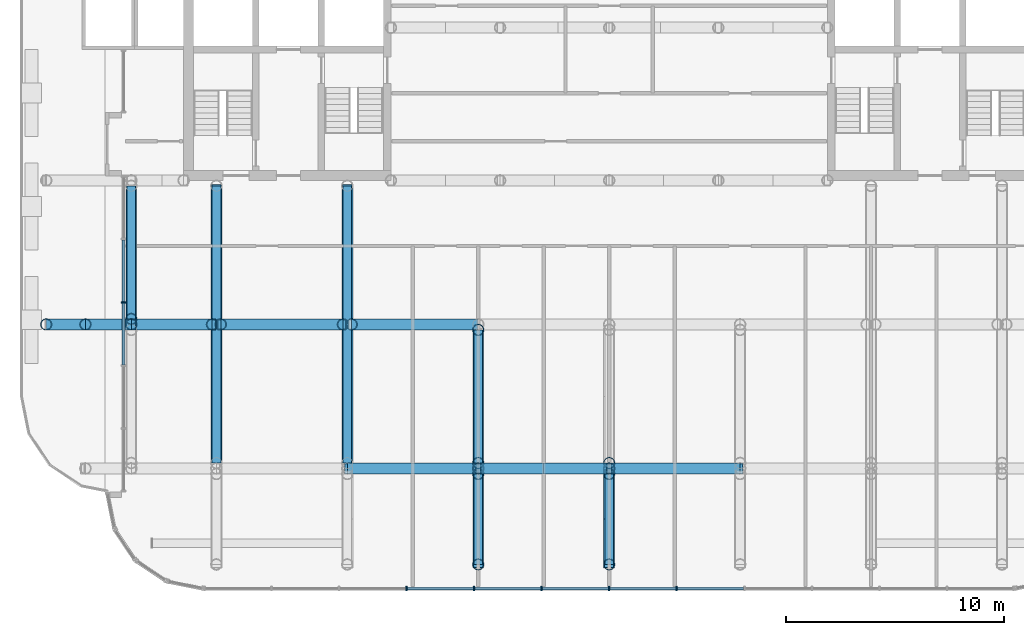
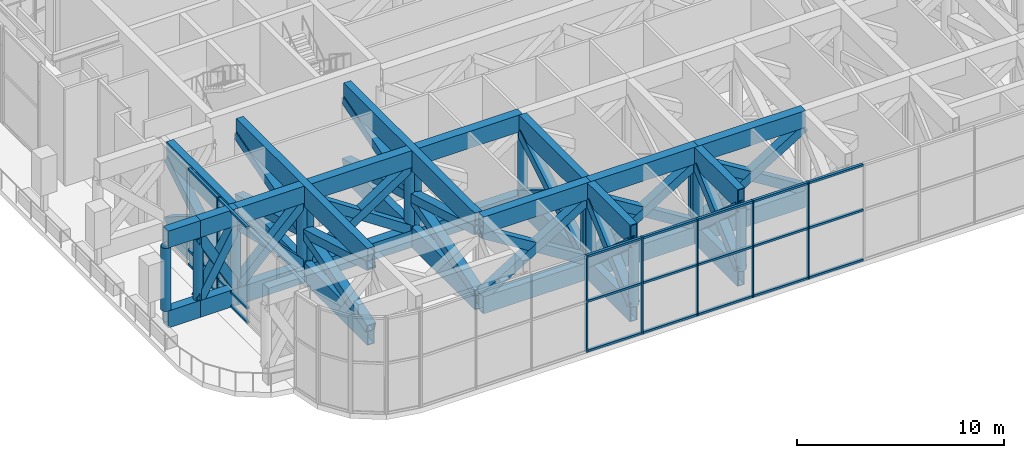
# One storey, part 2 of 21: 68 members, 28 beams, 2 elements without a shape of their own.
"""IFC4 building model written with IfcOpenShell, lengths in metres."""

from ifc_helpers import new_model, si_unit, direction, frame, origin, origin_2d, place, context, subcontext, project, spatial, rectangle, hollow_rectangle, hollow_circle, extrude, material, layer, layer_set, material_profile, profile_set, type_object, element, aggregate, save


model = new_model("IFC4")

# Units and contexts
model_context = context("Model", 3, precision=1e-05, world=origin(), true_north=direction((0.0, 1.0)))
body_context = subcontext(model_context, "Body", "Model", "MODEL_VIEW")
ifc_project = project(units=[si_unit("LENGTHUNIT", "METRE"), si_unit("AREAUNIT", "SQUARE_METRE"), si_unit("VOLUMEUNIT", "CUBIC_METRE"), si_unit("PLANEANGLEUNIT", "RADIAN"), si_unit("MASSUNIT", "GRAM", prefix="KILO")], contexts=[model_context])

# Site, building, storey
site_placement = place(None, origin())
site = spatial("IfcSite", under=ifc_project, at=site_placement, CompositionType="ELEMENT")
building_placement = place(site_placement, origin())
building = spatial("IfcBuilding", under=site, at=building_placement, Name="Torana Hotel and Residences", CompositionType="ELEMENT")
storey_placement = place(building_placement, frame((0.0, 0.0, 246.60009765625)))
storey = spatial("IfcBuildingStorey", under=building, at=storey_placement, Name="L65", CompositionType="ELEMENT", Elevation=246.60009765625)

# Curtain wall, member
ifc_material_1 = material(Name="Dark anodised aluminium", Category="aluminium")
ifc_layer = layer(ifc_material_1, 0.199951171875)
ifc_layer_set = layer_set([ifc_layer], Name="CW2 SKY LOBBY UNITISED CURTAIN WALL")
curtain_wall_type = type_object("IfcCurtainWallType", Name="CW2 SKY LOBBY UNITISED CURTAIN WALL", PredefinedType="NOTDEFINED", material=ifc_layer_set)
curtain_wall_1_placement = place(storey_placement, origin())
curtain_wall_1 = element("IfcCurtainWall", 1, at=curtain_wall_1_placement, inside=storey, type_object=curtain_wall_type, Name="Curtain wall CW2 L65 e0.4-2", PredefinedType="NOTDEFINED")
ifc_material_2 = material(Name="Dark anodised aluminium", Category="aluminium")
ifc_material_profile_1 = material_profile(ifc_material_2, rectangle(XDim=0.199951171875, YDim=0.070068359375, at=origin_2d()), Name="CW2 MULLION 70x200")
ifc_profile_set_1 = profile_set([ifc_material_profile_1], Name="Dark anodised aluminium")
member_type_1 = type_object("IfcMemberType", Name="CW2 MULLION 70x200", PredefinedType="MULLION", material=ifc_profile_set_1)
member_1_placement = place(storey_placement, frame((-22.2548828125, -20.5859375, 0.0), z_axis=(0.0, 0.0, 1.0), x_axis=(1.0, 0.0, 0.0)))
member_1 = element("IfcMember", 2, at=member_1_placement, type_object=member_type_1, Name="CW2 mullion 3", PredefinedType="MULLION", context=body_context, shape_type="SweptSolid", body=[
    extrude(rectangle(XDim=0.199951171875, YDim=0.070068359375, at=origin_2d()), origin(), (0.0, 0.0, 1.0), 5.719970703125),
])

# Curtain wall, members
curtain_wall_2_placement = place(storey_placement, origin())
curtain_wall_2 = element("IfcCurtainWall", 3, at=curtain_wall_2_placement, inside=storey, type_object=curtain_wall_type, Name="Curtain wall CW2 L65 e0.9-1", PredefinedType="NOTDEFINED")
member_2_placement = place(storey_placement, frame((-9.28759765625, -33.699951171875, 0.0), z_axis=(0.0, 0.0, 1.0), x_axis=(0.0, 1.0, 0.0)))
member_2 = element("IfcMember", 4, at=member_2_placement, type_object=member_type_1, Name="CW2 mullion 4", PredefinedType="MULLION", context=body_context, shape_type="SweptSolid", body=[
    extrude(rectangle(XDim=0.199951171875, YDim=0.070068359375, at=origin_2d()), origin(), (0.0, 0.0, 1.0), 5.719970703125),
])
member_3_placement = place(storey_placement, frame((-6.19189453125, -33.699951171875, 0.0), z_axis=(0.0, 0.0, 1.0), x_axis=(0.0, 1.0, 0.0)))
member_3 = element("IfcMember", 5, at=member_3_placement, type_object=member_type_1, Name="CW2 mullion 5", PredefinedType="MULLION", context=body_context, shape_type="SweptSolid", body=[
    extrude(rectangle(XDim=0.199951171875, YDim=0.070068359375, at=origin_2d()), origin(), (0.0, 0.0, 1.0), 5.719970703125),
])
member_4_placement = place(storey_placement, frame((-3.095947265625, -33.699951171875, 0.0), z_axis=(0.0, 0.0, 1.0), x_axis=(0.0, 1.0, 0.0)))
member_4 = element("IfcMember", 6, at=member_4_placement, type_object=member_type_1, Name="CW2 mullion 6", PredefinedType="MULLION", context=body_context, shape_type="SweptSolid", body=[
    extrude(rectangle(XDim=0.199951171875, YDim=0.070068359375, at=origin_2d()), origin(), (0.0, 0.0, 1.0), 5.719970703125),
])
member_5_placement = place(storey_placement, frame((0.0, -33.699951171875, 0.0), z_axis=(0.0, 0.0, 1.0), x_axis=(0.0, 1.0, 0.0)))
member_5 = element("IfcMember", 7, at=member_5_placement, type_object=member_type_1, Name="CW2 mullion 7", PredefinedType="MULLION", context=body_context, shape_type="SweptSolid", body=[
    extrude(rectangle(XDim=0.199951171875, YDim=0.070068359375, at=origin_2d()), origin(), (0.0, 0.0, 1.0), 5.719970703125),
])
member_6_placement = place(storey_placement, frame((3.095947265625, -33.699951171875, 0.0), z_axis=(0.0, 0.0, 1.0), x_axis=(0.0, 1.0, 0.0)))
member_6 = element("IfcMember", 8, at=member_6_placement, type_object=member_type_1, Name="CW2 mullion 8", PredefinedType="MULLION", context=body_context, shape_type="SweptSolid", body=[
    extrude(rectangle(XDim=0.199951171875, YDim=0.070068359375, at=origin_2d()), origin(), (0.0, 0.0, 1.0), 5.719970703125),
])

# Member
ifc_material_3 = material(Name="Dark anodised aluminium", Category="aluminium")
ifc_material_profile_2 = material_profile(ifc_material_3, rectangle(XDim=0.14990234375, YDim=0.1201171875, at=origin_2d()), Name="CW2 TRANSOM 150x120")
ifc_profile_set_2 = profile_set([ifc_material_profile_2], Name="Dark anodised aluminium")
member_type_2 = type_object("IfcMemberType", Name="CW2 TRANSOM 150x120", PredefinedType="USERDEFINED", material=ifc_profile_set_2)
member_7_placement = place(storey_placement, frame((-22.2548828125, -17.724365234375, 0.059814453125), z_axis=(0.0, -1.0, 0.0), x_axis=(1.0, 0.0, 0.0)))
member_7 = element("IfcMember", 9, at=member_7_placement, type_object=member_type_2, Name="CW2 transom 2.1", ObjectType="TRANSOM", PredefinedType="USERDEFINED", context=body_context, shape_type="SweptSolid", body=[
    extrude(rectangle(XDim=0.14990234375, YDim=0.1201171875, at=origin_2d()), origin(), (0.0, 0.0, 1.0), 2.82666015625),
])

member_8_placement = place(storey_placement, frame((-22.2548828125, -17.724365234375, 0.89990234375), z_axis=(0.0, -1.0, 0.0), x_axis=(1.0, 0.0, 0.0)))
member_8 = element("IfcMember", 10, at=member_8_placement, type_object=member_type_2, Name="CW2 transom 2.2", ObjectType="TRANSOM", PredefinedType="USERDEFINED", context=body_context, shape_type="SweptSolid", body=[
    extrude(rectangle(XDim=0.14990234375, YDim=0.1201171875, at=origin_2d()), origin(), (0.0, 0.0, 1.0), 2.82666015625),
])

member_9_placement = place(storey_placement, frame((-22.2548828125, -17.724365234375, 5.659912109375), z_axis=(0.0, -1.0, 0.0), x_axis=(1.0, 0.0, 0.0)))
member_9 = element("IfcMember", 11, at=member_9_placement, type_object=member_type_2, Name="CW2 transom 2.3", ObjectType="TRANSOM", PredefinedType="USERDEFINED", context=body_context, shape_type="SweptSolid", body=[
    extrude(rectangle(XDim=0.14990234375, YDim=0.1201171875, at=origin_2d()), origin(), (0.0, 0.0, 1.0), 2.82666015625),
])

member_10_placement = place(storey_placement, frame((-22.2548828125, -20.620849609375, 0.059814453125), z_axis=(0.0, -1.0, 0.0), x_axis=(1.0, 0.0, 0.0)))
member_10 = element("IfcMember", 12, at=member_10_placement, type_object=member_type_2, Name="CW2 transom 3.1", ObjectType="TRANSOM", PredefinedType="USERDEFINED", context=body_context, shape_type="SweptSolid", body=[
    extrude(rectangle(XDim=0.14990234375, YDim=0.1201171875, at=origin_2d()), origin(), (0.0, 0.0, 1.0), 2.82666015625),
])

member_11_placement = place(storey_placement, frame((-22.2548828125, -20.620849609375, 0.89990234375), z_axis=(0.0, -1.0, 0.0), x_axis=(1.0, 0.0, 0.0)))
member_11 = element("IfcMember", 13, at=member_11_placement, type_object=member_type_2, Name="CW2 transom 3.2", ObjectType="TRANSOM", PredefinedType="USERDEFINED", context=body_context, shape_type="SweptSolid", body=[
    extrude(rectangle(XDim=0.14990234375, YDim=0.1201171875, at=origin_2d()), origin(), (0.0, 0.0, 1.0), 2.82666015625),
])

member_12_placement = place(storey_placement, frame((-22.2548828125, -20.620849609375, 5.659912109375), z_axis=(0.0, -1.0, 0.0), x_axis=(1.0, 0.0, 0.0)))
member_12 = element("IfcMember", 14, at=member_12_placement, type_object=member_type_2, Name="CW2 transom 3.3", ObjectType="TRANSOM", PredefinedType="USERDEFINED", context=body_context, shape_type="SweptSolid", body=[
    extrude(rectangle(XDim=0.14990234375, YDim=0.1201171875, at=origin_2d()), origin(), (0.0, 0.0, 1.0), 2.82666015625),
])

aggregate(curtain_wall_1, [member_1, member_7, member_8, member_9, member_10, member_11, member_12])

member_13_placement = place(storey_placement, frame((-9.252685546875, -33.699951171875, 0.059814453125), z_axis=(1.0, 0.0, 0.0), x_axis=(0.0, 1.0, 0.0)))
member_13 = element("IfcMember", 15, at=member_13_placement, type_object=member_type_2, Name="CW2 transom 4.1", ObjectType="TRANSOM", PredefinedType="USERDEFINED", context=body_context, shape_type="SweptSolid", body=[
    extrude(rectangle(XDim=0.14990234375, YDim=0.1201171875, at=origin_2d()), origin(), (0.0, 0.0, 1.0), 3.02587890625),
])

member_14_placement = place(storey_placement, frame((-9.252685546875, -33.699951171875, 3.0), z_axis=(1.0, 0.0, 0.0), x_axis=(0.0, 1.0, 0.0)))
member_14 = element("IfcMember", 16, at=member_14_placement, type_object=member_type_2, Name="CW2 transom 4.2", ObjectType="TRANSOM", PredefinedType="USERDEFINED", context=body_context, shape_type="SweptSolid", body=[
    extrude(rectangle(XDim=0.14990234375, YDim=0.1201171875, at=origin_2d()), origin(), (0.0, 0.0, 1.0), 3.02587890625),
])

member_15_placement = place(storey_placement, frame((-9.252685546875, -33.699951171875, 5.659912109375), z_axis=(1.0, 0.0, 0.0), x_axis=(0.0, 1.0, 0.0)))
member_15 = element("IfcMember", 17, at=member_15_placement, type_object=member_type_2, Name="CW2 transom 4.3", ObjectType="TRANSOM", PredefinedType="USERDEFINED", context=body_context, shape_type="SweptSolid", body=[
    extrude(rectangle(XDim=0.14990234375, YDim=0.1201171875, at=origin_2d()), origin(), (0.0, 0.0, 1.0), 3.02587890625),
])

member_16_placement = place(storey_placement, frame((-6.15673828125, -33.699951171875, 0.059814453125), z_axis=(1.0, 0.0, 0.0), x_axis=(0.0, 1.0, 0.0)))
member_16 = element("IfcMember", 18, at=member_16_placement, type_object=member_type_2, Name="CW2 transom 5.1", ObjectType="TRANSOM", PredefinedType="USERDEFINED", context=body_context, shape_type="SweptSolid", body=[
    extrude(rectangle(XDim=0.14990234375, YDim=0.1201171875, at=origin_2d()), origin(), (0.0, 0.0, 1.0), 3.02587890625),
])

member_17_placement = place(storey_placement, frame((-6.15673828125, -33.699951171875, 3.0), z_axis=(1.0, 0.0, 0.0), x_axis=(0.0, 1.0, 0.0)))
member_17 = element("IfcMember", 19, at=member_17_placement, type_object=member_type_2, Name="CW2 transom 5.2", ObjectType="TRANSOM", PredefinedType="USERDEFINED", context=body_context, shape_type="SweptSolid", body=[
    extrude(rectangle(XDim=0.14990234375, YDim=0.1201171875, at=origin_2d()), origin(), (0.0, 0.0, 1.0), 3.02587890625),
])

member_18_placement = place(storey_placement, frame((-6.15673828125, -33.699951171875, 5.659912109375), z_axis=(1.0, 0.0, 0.0), x_axis=(0.0, 1.0, 0.0)))
member_18 = element("IfcMember", 20, at=member_18_placement, type_object=member_type_2, Name="CW2 transom 5.3", ObjectType="TRANSOM", PredefinedType="USERDEFINED", context=body_context, shape_type="SweptSolid", body=[
    extrude(rectangle(XDim=0.14990234375, YDim=0.1201171875, at=origin_2d()), origin(), (0.0, 0.0, 1.0), 3.02587890625),
])

member_19_placement = place(storey_placement, frame((-3.060791015625, -33.699951171875, 0.059814453125), z_axis=(1.0, 0.0, 0.0), x_axis=(0.0, 1.0, 0.0)))
member_19 = element("IfcMember", 21, at=member_19_placement, type_object=member_type_2, Name="CW2 transom 6.1", ObjectType="TRANSOM", PredefinedType="USERDEFINED", context=body_context, shape_type="SweptSolid", body=[
    extrude(rectangle(XDim=0.14990234375, YDim=0.1201171875, at=origin_2d()), origin(), (0.0, 0.0, 1.0), 3.02587890625),
])

member_20_placement = place(storey_placement, frame((-3.060791015625, -33.699951171875, 3.0), z_axis=(1.0, 0.0, 0.0), x_axis=(0.0, 1.0, 0.0)))
member_20 = element("IfcMember", 22, at=member_20_placement, type_object=member_type_2, Name="CW2 transom 6.2", ObjectType="TRANSOM", PredefinedType="USERDEFINED", context=body_context, shape_type="SweptSolid", body=[
    extrude(rectangle(XDim=0.14990234375, YDim=0.1201171875, at=origin_2d()), origin(), (0.0, 0.0, 1.0), 3.02587890625),
])

member_21_placement = place(storey_placement, frame((-3.060791015625, -33.699951171875, 5.659912109375), z_axis=(1.0, 0.0, 0.0), x_axis=(0.0, 1.0, 0.0)))
member_21 = element("IfcMember", 23, at=member_21_placement, type_object=member_type_2, Name="CW2 transom 6.3", ObjectType="TRANSOM", PredefinedType="USERDEFINED", context=body_context, shape_type="SweptSolid", body=[
    extrude(rectangle(XDim=0.14990234375, YDim=0.1201171875, at=origin_2d()), origin(), (0.0, 0.0, 1.0), 3.02587890625),
])

member_22_placement = place(storey_placement, frame((0.034912109375, -33.699951171875, 0.059814453125), z_axis=(1.0, 0.0, 0.0), x_axis=(0.0, 1.0, 0.0)))
member_22 = element("IfcMember", 24, at=member_22_placement, type_object=member_type_2, Name="CW2 transom 7.1", ObjectType="TRANSOM", PredefinedType="USERDEFINED", context=body_context, shape_type="SweptSolid", body=[
    extrude(rectangle(XDim=0.14990234375, YDim=0.1201171875, at=origin_2d()), origin(), (0.0, 0.0, 1.0), 3.02587890625),
])

member_23_placement = place(storey_placement, frame((0.034912109375, -33.699951171875, 3.0), z_axis=(1.0, 0.0, 0.0), x_axis=(0.0, 1.0, 0.0)))
member_23 = element("IfcMember", 25, at=member_23_placement, type_object=member_type_2, Name="CW2 transom 7.2", ObjectType="TRANSOM", PredefinedType="USERDEFINED", context=body_context, shape_type="SweptSolid", body=[
    extrude(rectangle(XDim=0.14990234375, YDim=0.1201171875, at=origin_2d()), origin(), (0.0, 0.0, 1.0), 3.02587890625),
])

member_24_placement = place(storey_placement, frame((0.034912109375, -33.699951171875, 5.659912109375), z_axis=(1.0, 0.0, 0.0), x_axis=(0.0, 1.0, 0.0)))
member_24 = element("IfcMember", 26, at=member_24_placement, type_object=member_type_2, Name="CW2 transom 7.3", ObjectType="TRANSOM", PredefinedType="USERDEFINED", context=body_context, shape_type="SweptSolid", body=[
    extrude(rectangle(XDim=0.14990234375, YDim=0.1201171875, at=origin_2d()), origin(), (0.0, 0.0, 1.0), 3.02587890625),
])

member_25_placement = place(storey_placement, frame((3.130859375, -33.699951171875, 0.059814453125), z_axis=(1.0, 0.0, 0.0), x_axis=(0.0, 1.0, 0.0)))
member_25 = element("IfcMember", 27, at=member_25_placement, type_object=member_type_2, Name="CW2 transom 8.1", ObjectType="TRANSOM", PredefinedType="USERDEFINED", context=body_context, shape_type="SweptSolid", body=[
    extrude(rectangle(XDim=0.14990234375, YDim=0.1201171875, at=origin_2d()), origin(), (0.0, 0.0, 1.0), 3.02587890625),
])

member_26_placement = place(storey_placement, frame((3.130859375, -33.699951171875, 3.0), z_axis=(1.0, 0.0, 0.0), x_axis=(0.0, 1.0, 0.0)))
member_26 = element("IfcMember", 28, at=member_26_placement, type_object=member_type_2, Name="CW2 transom 8.2", ObjectType="TRANSOM", PredefinedType="USERDEFINED", context=body_context, shape_type="SweptSolid", body=[
    extrude(rectangle(XDim=0.14990234375, YDim=0.1201171875, at=origin_2d()), origin(), (0.0, 0.0, 1.0), 3.02587890625),
])

member_27_placement = place(storey_placement, frame((3.130859375, -33.699951171875, 5.659912109375), z_axis=(1.0, 0.0, 0.0), x_axis=(0.0, 1.0, 0.0)))
member_27 = element("IfcMember", 29, at=member_27_placement, type_object=member_type_2, Name="CW2 transom 8.3", ObjectType="TRANSOM", PredefinedType="USERDEFINED", context=body_context, shape_type="SweptSolid", body=[
    extrude(rectangle(XDim=0.14990234375, YDim=0.1201171875, at=origin_2d()), origin(), (0.0, 0.0, 1.0), 3.02587890625),
])

aggregate(curtain_wall_2, [member_2, member_3, member_4, member_5, member_6, member_13, member_14, member_15, member_16, member_17, member_18, member_19, member_20, member_21, member_22, member_23, member_24, member_25, member_26, member_27])

# Beams
ifc_material_4 = material(Name="Steel S355", Category="steel")
ifc_material_profile_3 = material_profile(ifc_material_4, hollow_rectangle(XDim=0.5, YDim=1.0, WallThickness=0.050048828125, at=origin_2d()), Name="BOX 1000x500x50")
ifc_profile_set_3 = profile_set([ifc_material_profile_3], Name="Steel S355")
beam_type_1 = type_object("IfcBeamType", Name="STEEL CHORD BOX 1000x500x50", PredefinedType="BEAM", material=ifc_profile_set_3)
for number, where, z_axis, x_axis, name in (
    (30, (-12.0, -28.199951171875, 0.5), (1.0, 0.0, 0.0), (0.0, 1.0, 0.0), "Transfer chord L65"),
    (31, (-12.0, -28.199951171875, 5.219970703125), (1.0, 0.0, 0.0), (0.0, 1.0, 0.0), "Transfer chord L65"),
    (32, (-6.0, -28.199951171875, 0.5), (1.0, 0.0, 0.0), (0.0, 1.0, 0.0), "Transfer chord L65"),
    (33, (-6.0, -28.199951171875, 5.219970703125), (1.0, 0.0, 0.0), (0.0, 1.0, 0.0), "Transfer chord L65"),
    (34, (0.0, -28.199951171875, 0.5), (1.0, 0.0, 0.0), (0.0, 1.0, 0.0), "Transfer chord L65"),
    (35, (0.0, -28.199951171875, 5.219970703125), (1.0, 0.0, 0.0), (0.0, 1.0, 0.0), "Transfer chord L65"),
):
    element("IfcBeam", number, at=place(storey_placement, frame(where, z_axis=z_axis, x_axis=x_axis)), inside=storey, type_object=beam_type_1, Name=name, PredefinedType="BEAM", context=body_context, shape_type="SweptSolid", body=[
        extrude(hollow_rectangle(XDim=0.5, YDim=1.0, WallThickness=0.050048828125, at=origin_2d()), origin(), (0.0, 0.0, 1.0), 6.0),
    ])
for number, where, z_axis, x_axis, name in (
    (36, (-25.800048828125, -21.60009765625, 0.5), (1.0, 0.0, 0.0), (0.0, 1.0, 0.0), "Transfer chord L65"),
    (37, (-25.800048828125, -21.60009765625, 5.219970703125), (1.0, 0.0, 0.0), (0.0, 1.0, 0.0), "Transfer chord L65"),
):
    element("IfcBeam", number, at=place(storey_placement, frame(where, z_axis=z_axis, x_axis=x_axis)), inside=storey, type_object=beam_type_1, Name=name, PredefinedType="BEAM", context=body_context, shape_type="SweptSolid", body=[
        extrude(hollow_rectangle(XDim=0.5, YDim=1.0, WallThickness=0.050048828125, at=origin_2d()), origin(), (0.0, 0.0, 1.0), 1.800048828125),
    ])
for number, where, z_axis, x_axis, name in (
    (38, (-24.0, -21.60009765625, 0.5), (1.0, 0.0, 0.0), (0.0, 1.0, 0.0), "Transfer chord L65"),
    (39, (-24.0, -21.60009765625, 5.219970703125), (1.0, 0.0, 0.0), (0.0, 1.0, 0.0), "Transfer chord L65"),
):
    element("IfcBeam", number, at=place(storey_placement, frame(where, z_axis=z_axis, x_axis=x_axis)), inside=storey, type_object=beam_type_1, Name=name, PredefinedType="BEAM", context=body_context, shape_type="SweptSolid", body=[
        extrude(hollow_rectangle(XDim=0.5, YDim=1.0, WallThickness=0.050048828125, at=origin_2d()), origin(), (0.0, 0.0, 1.0), 2.10009765625),
    ])
for number, where, z_axis, x_axis, name in (
    (40, (-21.89990234375, -21.60009765625, 0.5), (1.0, 0.0, 0.0), (0.0, 1.0, 0.0), "Transfer chord L65"),
    (41, (-21.89990234375, -21.60009765625, 5.219970703125), (1.0, 0.0, 0.0), (0.0, 1.0, 0.0), "Transfer chord L65"),
):
    element("IfcBeam", number, at=place(storey_placement, frame(where, z_axis=z_axis, x_axis=x_axis)), inside=storey, type_object=beam_type_1, Name=name, PredefinedType="BEAM", context=body_context, shape_type="SweptSolid", body=[
        extrude(hollow_rectangle(XDim=0.5, YDim=1.0, WallThickness=0.050048828125, at=origin_2d()), origin(), (0.0, 0.0, 1.0), 3.699951171875),
    ])
for number, where, z_axis, x_axis, name in (
    (42, (-17.800048828125, -21.60009765625, 0.5), (1.0, 0.0, 0.0), (0.0, 1.0, 0.0), "Transfer chord L65"),
    (43, (-17.800048828125, -21.60009765625, 5.219970703125), (1.0, 0.0, 0.0), (0.0, 1.0, 0.0), "Transfer chord L65"),
):
    element("IfcBeam", number, at=place(storey_placement, frame(where, z_axis=z_axis, x_axis=x_axis)), inside=storey, type_object=beam_type_1, Name=name, PredefinedType="BEAM", context=body_context, shape_type="SweptSolid", body=[
        extrude(hollow_rectangle(XDim=0.5, YDim=1.0, WallThickness=0.050048828125, at=origin_2d()), origin(), (0.0, 0.0, 1.0), 5.60009765625),
    ])
for number, where, z_axis, x_axis, name in (
    (44, (-11.800048828125, -21.60009765625, 0.5), (1.0, 0.0, 0.0), (0.0, 1.0, 0.0), "Transfer chord L65"),
    (45, (-11.800048828125, -21.60009765625, 5.219970703125), (1.0, 0.0, 0.0), (0.0, 1.0, 0.0), "Transfer chord L65"),
):
    element("IfcBeam", number, at=place(storey_placement, frame(where, z_axis=z_axis, x_axis=x_axis)), inside=storey, type_object=beam_type_1, Name=name, PredefinedType="BEAM", context=body_context, shape_type="SweptSolid", body=[
        extrude(hollow_rectangle(XDim=0.5, YDim=1.0, WallThickness=0.050048828125, at=origin_2d()), origin(), (0.0, 0.0, 1.0), 5.800048828125),
    ])
ifc_material_5 = material(Name="Steel S355", Category="steel")
ifc_material_profile_4 = material_profile(ifc_material_5, hollow_rectangle(XDim=0.39990234375, YDim=1.199951171875, WallThickness=0.0400390625, at=origin_2d()), Name="BOX 1200x400x40")
ifc_profile_set_4 = profile_set([ifc_material_profile_4], Name="Steel S355")
beam_type_2 = type_object("IfcBeamType", Name="STEEL CHORD BOX 1200x400x40", PredefinedType="BEAM", material=ifc_profile_set_4)
for number, where, z_axis, x_axis, name in (
    (46, (-21.89990234375, -21.35009765625, 0.599853515625), (0.0, 1.0, 0.0), (-1.0, 0.0, 0.0), "Transfer chord L65"),
    (47, (-21.89990234375, -21.35009765625, 5.119873046875), (0.0, 1.0, 0.0), (-1.0, 0.0, 0.0), "Transfer chord L65"),
):
    element("IfcBeam", number, at=place(storey_placement, frame(where, z_axis=z_axis, x_axis=x_axis)), inside=storey, type_object=beam_type_2, Name=name, PredefinedType="BEAM", context=body_context, shape_type="SweptSolid", body=[
        extrude(hollow_rectangle(XDim=0.39990234375, YDim=1.199951171875, WallThickness=0.0400390625, at=origin_2d()), origin(), (0.0, 0.0, 1.0), 6.10009765625),
    ])
for number, where, z_axis, x_axis, name in (
    (48, (-18.0, -27.949951171875, 0.599853515625), (0.0, 1.0, 0.0), (-1.0, 0.0, 0.0), "Transfer chord L65"),
    (49, (-18.0, -27.949951171875, 5.119873046875), (0.0, 1.0, 0.0), (-1.0, 0.0, 0.0), "Transfer chord L65"),
    (50, (-12.0, -27.949951171875, 0.599853515625), (0.0, 1.0, 0.0), (-1.0, 0.0, 0.0), "Transfer chord L65"),
    (51, (-12.0, -27.949951171875, 5.119873046875), (0.0, 1.0, 0.0), (-1.0, 0.0, 0.0), "Transfer chord L65"),
):
    element("IfcBeam", number, at=place(storey_placement, frame(where, z_axis=z_axis, x_axis=x_axis)), inside=storey, type_object=beam_type_2, Name=name, PredefinedType="BEAM", context=body_context, shape_type="SweptSolid", body=[
        extrude(hollow_rectangle(XDim=0.39990234375, YDim=1.199951171875, WallThickness=0.0400390625, at=origin_2d()), origin(), (0.0, 0.0, 1.0), 12.699951171875),
    ])
for number, where, z_axis, x_axis, name in (
    (52, (-6.0, -32.60009765625, 0.599853515625), (0.0, 1.0, 0.0), (-1.0, 0.0, 0.0), "Transfer chord L65"),
    (53, (-6.0, -32.60009765625, 5.119873046875), (0.0, 1.0, 0.0), (-1.0, 0.0, 0.0), "Transfer chord L65"),
):
    element("IfcBeam", number, at=place(storey_placement, frame(where, z_axis=z_axis, x_axis=x_axis)), inside=storey, type_object=beam_type_2, Name=name, PredefinedType="BEAM", context=body_context, shape_type="SweptSolid", body=[
        extrude(hollow_rectangle(XDim=0.39990234375, YDim=1.199951171875, WallThickness=0.0400390625, at=origin_2d()), origin(), (0.0, 0.0, 1.0), 4.150146484375),
    ])
for number, where, z_axis, x_axis, name in (
    (54, (-6.0, -27.949951171875, 0.599853515625), (0.0, 1.0, 0.0), (-1.0, 0.0, 0.0), "Transfer chord L65"),
    (55, (-6.0, -27.949951171875, 5.119873046875), (0.0, 1.0, 0.0), (-1.0, 0.0, 0.0), "Transfer chord L65"),
):
    element("IfcBeam", number, at=place(storey_placement, frame(where, z_axis=z_axis, x_axis=x_axis)), inside=storey, type_object=beam_type_2, Name=name, PredefinedType="BEAM", context=body_context, shape_type="SweptSolid", body=[
        extrude(hollow_rectangle(XDim=0.39990234375, YDim=1.199951171875, WallThickness=0.0400390625, at=origin_2d()), origin(), (0.0, 0.0, 1.0), 6.099853515625),
    ])
for number, where, z_axis, x_axis, name in (
    (56, (0.0, -32.60009765625, 0.599853515625), (0.0, 1.0, 0.0), (-1.0, 0.0, 0.0), "Transfer chord L65"),
    (57, (0.0, -32.60009765625, 5.119873046875), (0.0, 1.0, 0.0), (-1.0, 0.0, 0.0), "Transfer chord L65"),
):
    element("IfcBeam", number, at=place(storey_placement, frame(where, z_axis=z_axis, x_axis=x_axis)), inside=storey, type_object=beam_type_2, Name=name, PredefinedType="BEAM", context=body_context, shape_type="SweptSolid", body=[
        extrude(hollow_rectangle(XDim=0.39990234375, YDim=1.199951171875, WallThickness=0.0400390625, at=origin_2d()), origin(), (0.0, 0.0, 1.0), 4.150146484375),
    ])

# Members
ifc_material_6 = material(Name="Steel S355", Category="steel")
ifc_material_profile_5 = material_profile(ifc_material_6, hollow_rectangle(XDim=0.5, YDim=0.5, WallThickness=0.0400390625, at=origin_2d()), Name="BOX 500x500x40")
ifc_profile_set_5 = profile_set([ifc_material_profile_5], Name="Steel S355")
member_type_3 = type_object("IfcMemberType", Name="STEEL DIAGONAL BOX 500x500x40", PredefinedType="BRACE", material=ifc_profile_set_5)
for number, where, z_axis, x_axis, name in (
    (58, (-12.0, -28.199951171875, 1.0), (0.84990455024, 0.0, 0.526936671224), (0.0, 1.0, 0.0), "Truss diagonal L65"),
    (59, (-6.0, -28.199951171875, 1.0), (-0.84990455024, 0.0, 0.526936671224), (0.0, -1.0, 0.0), "Truss diagonal L65"),
    (60, (-6.0, -28.199951171875, 1.0), (0.84990455024, 0.0, 0.526936671224), (0.0, 1.0, 0.0), "Truss diagonal L65"),
    (61, (0.0, -28.199951171875, 1.0), (-0.84990455024, 0.0, 0.526936671224), (0.0, -1.0, 0.0), "Truss diagonal L65"),
    (62, (0.0, -28.199951171875, 1.0), (0.84990455024, 0.0, 0.526936671224), (0.0, 1.0, 0.0), "Truss diagonal L65"),
    (63, (6.0, -28.199951171875, 1.0), (-0.84990455024, 0.0, 0.526936671224), (0.0, -1.0, 0.0), "Truss diagonal L65"),
):
    element("IfcMember", number, at=place(storey_placement, frame(where, z_axis=z_axis, x_axis=x_axis)), inside=storey, type_object=member_type_3, Name=name, PredefinedType="BRACE", context=body_context, shape_type="SweptSolid", body=[
        extrude(hollow_rectangle(XDim=0.5, YDim=0.5, WallThickness=0.0400390625, at=origin_2d()), origin(), (0.0, 0.0, 1.0), 7.0595703125),
    ])
for number, where, z_axis, x_axis, name in (
    (64, (-24.0, -21.60009765625, 1.0), (0.491614639726, 0.0, 0.87081286509), (0.0, 1.0, 0.0), "Truss diagonal L65"),
    (65, (-21.89990234375, -21.60009765625, 1.0), (-0.491614639726, 0.0, 0.87081286509), (0.0, -1.0, 0.0), "Truss diagonal L65"),
):
    element("IfcMember", number, at=place(storey_placement, frame(where, z_axis=z_axis, x_axis=x_axis)), inside=storey, type_object=member_type_3, Name=name, PredefinedType="BRACE", context=body_context, shape_type="SweptSolid", body=[
        extrude(hollow_rectangle(XDim=0.5, YDim=0.5, WallThickness=0.0400390625, at=origin_2d()), origin(), (0.0, 0.0, 1.0), 4.271728515625),
    ])
for number, where, z_axis, x_axis, name in (
    (66, (-21.89990234375, -21.60009765625, 1.0), (0.705196384846, 0.0, 0.709012030082), (0.0, 1.0, 0.0), "Truss diagonal L65"),
    (67, (-18.199951171875, -21.60009765625, 1.0), (-0.705196384846, 0.0, 0.709012030082), (0.0, -1.0, 0.0), "Truss diagonal L65"),
):
    element("IfcMember", number, at=place(storey_placement, frame(where, z_axis=z_axis, x_axis=x_axis)), inside=storey, type_object=member_type_3, Name=name, PredefinedType="BRACE", context=body_context, shape_type="SweptSolid", body=[
        extrude(hollow_rectangle(XDim=0.5, YDim=0.5, WallThickness=0.0400390625, at=origin_2d()), origin(), (0.0, 0.0, 1.0), 5.24658203125),
    ])
for number, where, z_axis, x_axis, name in (
    (68, (-17.800048828125, -21.60009765625, 1.0), (0.832970962809, 0.0, 0.553316704173), (0.0, 1.0, 0.0), "Truss diagonal L65"),
    (69, (-12.199951171875, -21.60009765625, 1.0), (-0.832970962809, 0.0, 0.553316704173), (0.0, -1.0, 0.0), "Truss diagonal L65"),
):
    element("IfcMember", number, at=place(storey_placement, frame(where, z_axis=z_axis, x_axis=x_axis)), inside=storey, type_object=member_type_3, Name=name, PredefinedType="BRACE", context=body_context, shape_type="SweptSolid", body=[
        extrude(hollow_rectangle(XDim=0.5, YDim=0.5, WallThickness=0.0400390625, at=origin_2d()), origin(), (0.0, 0.0, 1.0), 6.72314453125),
    ])
for number, where, z_axis, x_axis, name in (
    (70, (-21.89990234375, -21.35009765625, 1.0), (0.0, 0.853771354905, 0.520648128339), (-1.0, 0.0, 0.0), "Truss diagonal L65"),
    (71, (-21.89990234375, -15.25, 1.0), (0.0, -0.853771354905, 0.520648128339), (1.0, 0.0, 0.0), "Truss diagonal L65"),
):
    element("IfcMember", number, at=place(storey_placement, frame(where, z_axis=z_axis, x_axis=x_axis)), inside=storey, type_object=member_type_3, Name=name, PredefinedType="BRACE", context=body_context, shape_type="SweptSolid", body=[
        extrude(hollow_rectangle(XDim=0.5, YDim=0.5, WallThickness=0.0400390625, at=origin_2d()), origin(), (0.0, 0.0, 1.0), 7.144775390625),
    ])
for number, where, z_axis, x_axis, name in (
    (72, (-18.0, -27.949951171875, 1.0), (0.0, 0.95967806702, 0.281101418851), (-1.0, 0.0, 0.0), "Truss diagonal L65"),
    (73, (-18.0, -15.25, 1.0), (0.0, -0.95967806702, 0.281101418851), (1.0, 0.0, 0.0), "Truss diagonal L65"),
    (74, (-12.0, -27.949951171875, 1.0), (0.0, 0.95967806702, 0.281101418851), (-1.0, 0.0, 0.0), "Truss diagonal L65"),
    (75, (-12.0, -15.25, 1.0), (0.0, -0.95967806702, 0.281101418851), (1.0, 0.0, 0.0), "Truss diagonal L65"),
):
    element("IfcMember", number, at=place(storey_placement, frame(where, z_axis=z_axis, x_axis=x_axis)), inside=storey, type_object=member_type_3, Name=name, PredefinedType="BRACE", context=body_context, shape_type="SweptSolid", body=[
        extrude(hollow_rectangle(XDim=0.5, YDim=0.5, WallThickness=0.0400390625, at=origin_2d()), origin(), (0.0, 0.0, 1.0), 13.233642578125),
    ])
for number, where, z_axis, x_axis, name in (
    (76, (-6.0, -32.60009765625, 1.0), (0.0, 0.74464526482, 0.66746043297), (-1.0, 0.0, 0.0), "Truss diagonal L65"),
    (77, (-6.0, -28.449951171875, 1.0), (0.0, -0.74464526482, 0.66746043297), (1.0, 0.0, 0.0), "Truss diagonal L65"),
):
    element("IfcMember", number, at=place(storey_placement, frame(where, z_axis=z_axis, x_axis=x_axis)), inside=storey, type_object=member_type_3, Name=name, PredefinedType="BRACE", context=body_context, shape_type="SweptSolid", body=[
        extrude(hollow_rectangle(XDim=0.5, YDim=0.5, WallThickness=0.0400390625, at=origin_2d()), origin(), (0.0, 0.0, 1.0), 5.5732421875),
    ])
for number, where, z_axis, x_axis, name in (
    (78, (-6.0, -27.949951171875, 1.0), (0.0, 0.853762091888, 0.520663317755), (-1.0, 0.0, 0.0), "Truss diagonal L65"),
    (79, (-6.0, -21.85009765625, 1.0), (0.0, -0.853762091888, 0.520663317755), (1.0, 0.0, 0.0), "Truss diagonal L65"),
):
    element("IfcMember", number, at=place(storey_placement, frame(where, z_axis=z_axis, x_axis=x_axis)), inside=storey, type_object=member_type_3, Name=name, PredefinedType="BRACE", context=body_context, shape_type="SweptSolid", body=[
        extrude(hollow_rectangle(XDim=0.5, YDim=0.5, WallThickness=0.0400390625, at=origin_2d()), origin(), (0.0, 0.0, 1.0), 7.144775390625),
    ])
for number, where, z_axis, x_axis, name in (
    (80, (0.0, -32.60009765625, 1.0), (0.0, 0.74464526482, 0.66746043297), (-1.0, 0.0, 0.0), "Truss diagonal L65"),
    (81, (0.0, -28.449951171875, 1.0), (0.0, -0.74464526482, 0.66746043297), (1.0, 0.0, 0.0), "Truss diagonal L65"),
):
    element("IfcMember", number, at=place(storey_placement, frame(where, z_axis=z_axis, x_axis=x_axis)), inside=storey, type_object=member_type_3, Name=name, PredefinedType="BRACE", context=body_context, shape_type="SweptSolid", body=[
        extrude(hollow_rectangle(XDim=0.5, YDim=0.5, WallThickness=0.0400390625, at=origin_2d()), origin(), (0.0, 0.0, 1.0), 5.5732421875),
    ])
ifc_material_7 = material(Name="Steel S355", Category="steel")
ifc_material_profile_6 = material_profile(ifc_material_7, hollow_circle(Radius=0.25390625, WallThickness=0.01611328125, at=origin_2d()), Name="508x16 CHS")
ifc_profile_set_6 = profile_set([ifc_material_profile_6], Name="Steel S355")
member_type_4 = type_object("IfcMemberType", Name="STEEL POST 508x16 CHS", PredefinedType="POST", material=ifc_profile_set_6)
for number, where, z_axis, x_axis, name in (
    (82, (-6.0, -28.199951171875, 1.0), (0.0, 0.0, 1.0), (1.0, 0.0, 0.0), "Truss post L65"),
    (83, (0.0, -28.199951171875, 1.0), (0.0, 0.0, 1.0), (1.0, 0.0, 0.0), "Truss post L65"),
    (84, (-25.800048828125, -21.60009765625, 1.0), (0.0, 0.0, 1.0), (1.0, 0.0, 0.0), "Truss post L65"),
    (85, (-24.0, -21.60009765625, 1.0), (0.0, 0.0, 1.0), (1.0, 0.0, 0.0), "Truss post L65"),
    (86, (-21.89990234375, -21.60009765625, 1.0), (0.0, 0.0, 1.0), (1.0, 0.0, 0.0), "Truss post L65"),
    (87, (-18.199951171875, -21.60009765625, 1.0), (0.0, 0.0, 1.0), (1.0, 0.0, 0.0), "Truss post L65"),
    (88, (-17.800048828125, -21.60009765625, 1.0), (0.0, 0.0, 1.0), (1.0, 0.0, 0.0), "Truss post L65"),
    (89, (-12.199951171875, -21.60009765625, 1.0), (0.0, 0.0, 1.0), (1.0, 0.0, 0.0), "Truss post L65"),
    (90, (-11.800048828125, -21.60009765625, 1.0), (0.0, 0.0, 1.0), (1.0, 0.0, 0.0), "Truss post L65"),
    (91, (-21.89990234375, -21.35009765625, 1.0), (0.0, 0.0, 1.0), (1.0, 0.0, 0.0), "Truss post L65"),
    (92, (-6.0, -32.60009765625, 1.0), (0.0, 0.0, 1.0), (1.0, 0.0, 0.0), "Truss post L65"),
    (93, (-6.0, -28.449951171875, 1.0), (0.0, 0.0, 1.0), (1.0, 0.0, 0.0), "Truss post L65"),
    (94, (-6.0, -27.949951171875, 1.0), (0.0, 0.0, 1.0), (1.0, 0.0, 0.0), "Truss post L65"),
    (95, (-6.0, -21.85009765625, 1.0), (0.0, 0.0, 1.0), (1.0, 0.0, 0.0), "Truss post L65"),
    (96, (0.0, -32.60009765625, 1.0), (0.0, 0.0, 1.0), (1.0, 0.0, 0.0), "Truss post L65"),
    (97, (0.0, -28.449951171875, 1.0), (0.0, 0.0, 1.0), (1.0, 0.0, 0.0), "Truss post L65"),
    (98, (0.0, -27.949951171875, 1.0), (0.0, 0.0, 1.0), (1.0, 0.0, 0.0), "Truss post L65"),
):
    element("IfcMember", number, at=place(storey_placement, frame(where, z_axis=z_axis, x_axis=x_axis)), inside=storey, type_object=member_type_4, Name=name, PredefinedType="POST", context=body_context, shape_type="SweptSolid", body=[
        extrude(hollow_circle(Radius=0.25390625, WallThickness=0.01611328125, at=origin_2d()), origin(), (0.0, 0.0, 1.0), 3.719970703125),
    ])

save(model, "model.ifc")
